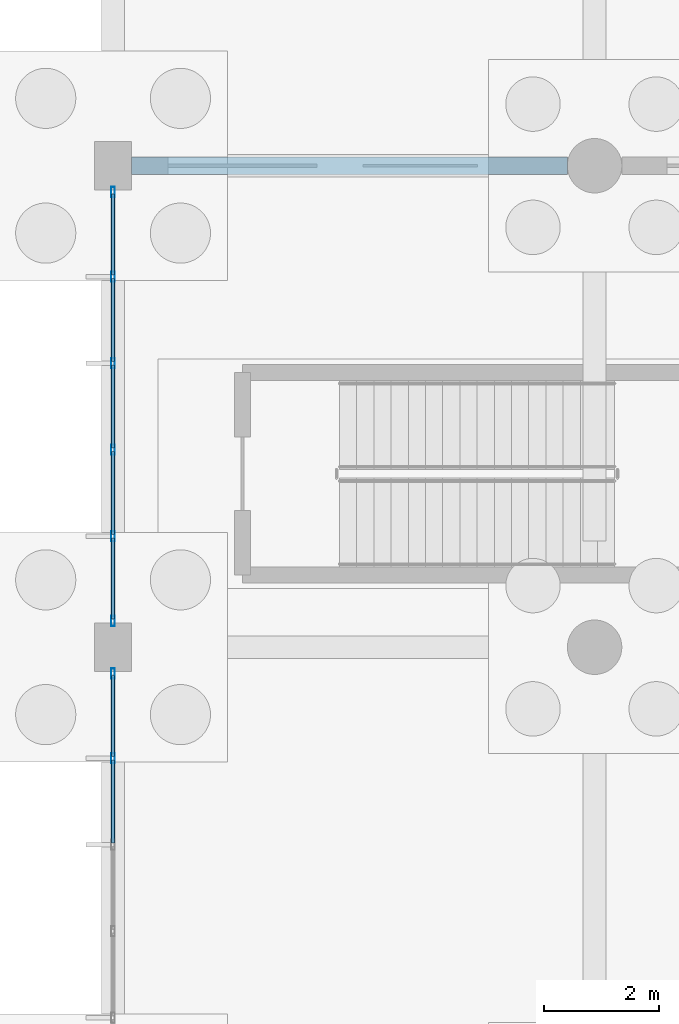
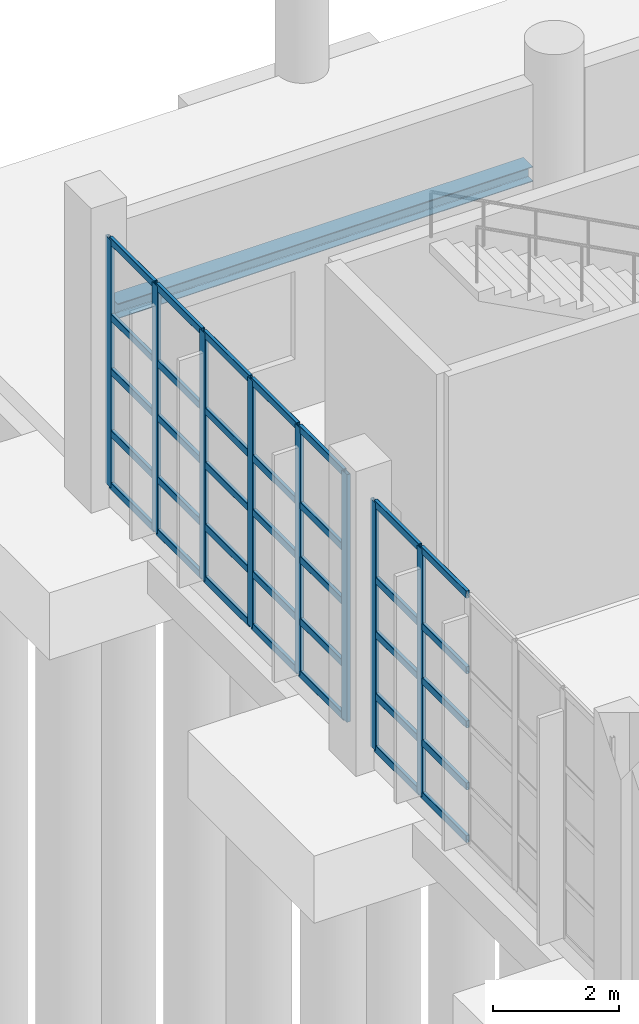
# One storey, part 31 of 83: 43 members, 1 beam, 2 elements without a shape of their own.
"""IFC4 building model written with IfcOpenShell, lengths in metres."""

from ifc_helpers import new_model, si_unit, direction, frame, origin, origin_2d, place, context, subcontext, project, spatial, hollow_rectangle, i_section, extrude, material, layer, layer_set, material_profile, profile_set, type_object, element, aggregate, save


model = new_model("IFC4")

# Units and contexts
model_context = context("Model", 3, precision=1e-05, world=origin(), true_north=direction((0.0, 1.0)))
body_context = subcontext(model_context, "Body", "Model", "MODEL_VIEW")
ifc_project = project(units=[si_unit("LENGTHUNIT", "METRE"), si_unit("AREAUNIT", "SQUARE_METRE"), si_unit("VOLUMEUNIT", "CUBIC_METRE"), si_unit("PLANEANGLEUNIT", "RADIAN"), si_unit("MASSUNIT", "GRAM", prefix="KILO"), si_unit("THERMODYNAMICTEMPERATUREUNIT", "KELVIN"), si_unit("POWERUNIT", "WATT")], contexts=[model_context])

# Site, building, storey
site_placement = place(None, origin())
site = spatial("IfcSite", under=ifc_project, at=site_placement, CompositionType="ELEMENT")
building_placement = place(site_placement, origin())
building = spatial("IfcBuilding", under=site, at=building_placement, Name="Mavoryth Pier Ferry Terminal", CompositionType="ELEMENT")
storey_placement = place(building_placement, origin())
storey = spatial("IfcBuildingStorey", under=building, at=storey_placement, Name="L00", CompositionType="ELEMENT", Elevation=0.0)

# Beam
ifc_material_1 = material(Name="Steel S355J2", Category="steel")
ifc_material_profile_1 = material_profile(ifc_material_1, i_section(OverallWidth=0.300048828125, OverallDepth=0.2900390625, WebThickness=0.008544921875, FlangeThickness=0.013916015625, FilletRadius=0.027099609375, at=origin_2d()), Name="HEA 300", Category="steel")
ifc_profile_set_1 = profile_set([ifc_material_profile_1], Name="Steel S355J2 - HEA 300")
beam_type = type_object("IfcBeamType", Name="Lintel-Steel-HEA300", PredefinedType="LINTEL", material=ifc_profile_set_1)
beam_placement = place(storey_placement, frame((0.324951171875, 106.0, 3.054931640625), z_axis=(1.0, 0.0, 0.0), x_axis=(0.0, 1.0, 0.0)))
element("IfcBeam", 1, at=beam_placement, inside=storey, type_object=beam_type, Name="Beam B00-LN02-1608", PredefinedType="LINTEL", context=body_context, shape_type="SweptSolid", body=[
    extrude(i_section(OverallWidth=0.300048828125, OverallDepth=0.2900390625, WebThickness=0.008544921875, FlangeThickness=0.013916015625, FilletRadius=0.027099609375, at=origin_2d()), origin(), (0.0, 0.0, 1.0), 7.60009765625),
])

# Curtain wall, members
ifc_material_2 = material(Name="Anodised Aluminium and Solar-Control Low-E Glass", Category="aluminium")
ifc_layer = layer(ifc_material_2, 0.179931640625, Name="Anodised Aluminium and Solar-Control Low-E Glass", Category="aluminium")
ifc_layer_set = layer_set([ifc_layer], Name="Anodised Aluminium and Solar-Control Low-E Glass - CW-Concourse-Mod1400")
curtain_wall_type = type_object("IfcCurtainWallType", Name="CW-Concourse-Mod1400", PredefinedType="USERDEFINED", material=ifc_layer_set)
curtain_wall_1_placement = place(storey_placement, origin())
curtain_wall_1 = element("IfcCurtainWall", 2, at=curtain_wall_1_placement, inside=storey, type_object=curtain_wall_type, Name="Curtain Wall CW-0033-025", ObjectType="UNITISED CURTAIN WALL", PredefinedType="USERDEFINED")
ifc_material_3 = material(Name="Anodised Aluminium EN AW-6063", Category="aluminium")
ifc_material_profile_2 = material_profile(ifc_material_3, hollow_rectangle(XDim=0.06494140625, YDim=0.179931640625, WallThickness=0.00390625, InnerFilletRadius=0.00390625, OuterFilletRadius=0.008056640625, at=origin_2d()), Name="AL-MULL 180x65x4", Category="aluminium")
ifc_profile_set_2 = profile_set([ifc_material_profile_2], Name="Anodised Aluminium EN AW-6063 - AL-MULL 180x65x4")
member_type_1 = type_object("IfcMemberType", Name="Mullion-Alum-180x65", PredefinedType="MULLION", material=ifc_profile_set_2)
member_1_placement = place(storey_placement, frame((0.0, 97.142578125, 0.0), z_axis=(0.0, 0.0, 1.0), x_axis=(1.0, 0.0, 0.0)))
member_1 = element("IfcMember", 3, at=member_1_placement, type_object=member_type_1, Name="CW01 mullion 1", PredefinedType="MULLION", context=body_context, shape_type="SweptSolid", body=[
    extrude(hollow_rectangle(XDim=0.06494140625, YDim=0.179931640625, WallThickness=0.00390625, InnerFilletRadius=0.00390625, OuterFilletRadius=0.008056640625, at=origin_2d()), origin(), (0.0, 0.0, 1.0), 4.794921875),
])
member_2_placement = place(storey_placement, frame((0.0, 95.6650390625, 0.0), z_axis=(0.0, 0.0, 1.0), x_axis=(1.0, 0.0, 0.0)))
member_2 = element("IfcMember", 4, at=member_2_placement, type_object=member_type_1, Name="CW01 mullion 2", PredefinedType="MULLION", context=body_context, shape_type="SweptSolid", body=[
    extrude(hollow_rectangle(XDim=0.06494140625, YDim=0.179931640625, WallThickness=0.00390625, InnerFilletRadius=0.00390625, OuterFilletRadius=0.008056640625, at=origin_2d()), origin(), (0.0, 0.0, 1.0), 4.794921875),
])

curtain_wall_2_placement = place(storey_placement, origin())
curtain_wall_2 = element("IfcCurtainWall", 5, at=curtain_wall_2_placement, inside=storey, type_object=curtain_wall_type, Name="Curtain Wall CW-0033-030", ObjectType="UNITISED CURTAIN WALL", PredefinedType="USERDEFINED")
member_3_placement = place(storey_placement, frame((0.0, 105.54248046875, 0.0), z_axis=(0.0, 0.0, 1.0), x_axis=(1.0, 0.0, 0.0)))
member_3 = element("IfcMember", 6, at=member_3_placement, type_object=member_type_1, Name="CW01 mullion 1", PredefinedType="MULLION", context=body_context, shape_type="SweptSolid", body=[
    extrude(hollow_rectangle(XDim=0.06494140625, YDim=0.179931640625, WallThickness=0.00390625, InnerFilletRadius=0.00390625, OuterFilletRadius=0.008056640625, at=origin_2d()), origin(), (0.0, 0.0, 1.0), 4.794921875),
])
member_4_placement = place(storey_placement, frame((0.0, 104.06494140625, 0.0), z_axis=(0.0, 0.0, 1.0), x_axis=(1.0, 0.0, 0.0)))
member_4 = element("IfcMember", 7, at=member_4_placement, type_object=member_type_1, Name="CW01 mullion 2", PredefinedType="MULLION", context=body_context, shape_type="SweptSolid", body=[
    extrude(hollow_rectangle(XDim=0.06494140625, YDim=0.179931640625, WallThickness=0.00390625, InnerFilletRadius=0.00390625, OuterFilletRadius=0.008056640625, at=origin_2d()), origin(), (0.0, 0.0, 1.0), 4.794921875),
])
member_5_placement = place(storey_placement, frame((0.0, 102.554931640625, 0.0), z_axis=(0.0, 0.0, 1.0), x_axis=(1.0, 0.0, 0.0)))
member_5 = element("IfcMember", 8, at=member_5_placement, type_object=member_type_1, Name="CW01 mullion 3", PredefinedType="MULLION", context=body_context, shape_type="SweptSolid", body=[
    extrude(hollow_rectangle(XDim=0.06494140625, YDim=0.179931640625, WallThickness=0.00390625, InnerFilletRadius=0.00390625, OuterFilletRadius=0.008056640625, at=origin_2d()), origin(), (0.0, 0.0, 1.0), 4.794921875),
])
member_6_placement = place(storey_placement, frame((0.0, 101.044921875, 0.0), z_axis=(0.0, 0.0, 1.0), x_axis=(1.0, 0.0, 0.0)))
member_6 = element("IfcMember", 9, at=member_6_placement, type_object=member_type_1, Name="CW01 mullion 4", PredefinedType="MULLION", context=body_context, shape_type="SweptSolid", body=[
    extrude(hollow_rectangle(XDim=0.06494140625, YDim=0.179931640625, WallThickness=0.00390625, InnerFilletRadius=0.00390625, OuterFilletRadius=0.008056640625, at=origin_2d()), origin(), (0.0, 0.0, 1.0), 4.794921875),
])
member_7_placement = place(storey_placement, frame((0.0, 99.534912109375, 0.0), z_axis=(0.0, 0.0, 1.0), x_axis=(1.0, 0.0, 0.0)))
member_7 = element("IfcMember", 10, at=member_7_placement, type_object=member_type_1, Name="CW01 mullion 5", PredefinedType="MULLION", context=body_context, shape_type="SweptSolid", body=[
    extrude(hollow_rectangle(XDim=0.06494140625, YDim=0.179931640625, WallThickness=0.00390625, InnerFilletRadius=0.00390625, OuterFilletRadius=0.008056640625, at=origin_2d()), origin(), (0.0, 0.0, 1.0), 4.794921875),
])
member_8_placement = place(storey_placement, frame((0.0, 98.0576171875, 0.0), z_axis=(0.0, 0.0, 1.0), x_axis=(1.0, 0.0, 0.0)))
member_8 = element("IfcMember", 11, at=member_8_placement, type_object=member_type_1, Name="CW01 mullion 6", PredefinedType="MULLION", context=body_context, shape_type="SweptSolid", body=[
    extrude(hollow_rectangle(XDim=0.06494140625, YDim=0.179931640625, WallThickness=0.00390625, InnerFilletRadius=0.00390625, OuterFilletRadius=0.008056640625, at=origin_2d()), origin(), (0.0, 0.0, 1.0), 4.794921875),
])

# Member
ifc_material_profile_3 = material_profile(ifc_material_3, hollow_rectangle(XDim=0.06494140625, YDim=0.139892578125, WallThickness=0.00390625, InnerFilletRadius=0.00390625, OuterFilletRadius=0.008056640625, at=origin_2d()), Name="AL-TRAN 140x65x4", Category="aluminium")
ifc_profile_set_3 = profile_set([ifc_material_profile_3], Name="Anodised Aluminium EN AW-6063 - AL-TRAN 140x65x4")
member_type_2 = type_object("IfcMemberType", Name="Transom-Alum-140x65", PredefinedType="USERDEFINED", material=ifc_profile_set_3)
member_9_placement = place(storey_placement, frame((0.0, 97.110107421875, 0.032470703125), z_axis=(0.0, -1.0, 0.0), x_axis=(1.0, 0.0, 0.0)))
member_9 = element("IfcMember", 12, at=member_9_placement, type_object=member_type_2, Name="CW01 transom 1.1", ObjectType="TRANSOM", PredefinedType="USERDEFINED", context=body_context, shape_type="SweptSolid", body=[
    extrude(hollow_rectangle(XDim=0.06494140625, YDim=0.139892578125, WallThickness=0.00390625, InnerFilletRadius=0.00390625, OuterFilletRadius=0.008056640625, at=origin_2d()), origin(), (0.0, 0.0, 1.0), 1.41259765625),
])

member_10_placement = place(storey_placement, frame((0.0, 97.110107421875, 1.050048828125), z_axis=(0.0, -1.0, 0.0), x_axis=(1.0, 0.0, 0.0)))
member_10 = element("IfcMember", 13, at=member_10_placement, type_object=member_type_2, Name="CW01 transom 1.2", ObjectType="TRANSOM", PredefinedType="USERDEFINED", context=body_context, shape_type="SweptSolid", body=[
    extrude(hollow_rectangle(XDim=0.06494140625, YDim=0.139892578125, WallThickness=0.00390625, InnerFilletRadius=0.00390625, OuterFilletRadius=0.008056640625, at=origin_2d()), origin(), (0.0, 0.0, 1.0), 1.41259765625),
])

member_11_placement = place(storey_placement, frame((0.0, 97.110107421875, 2.25), z_axis=(0.0, -1.0, 0.0), x_axis=(1.0, 0.0, 0.0)))
member_11 = element("IfcMember", 14, at=member_11_placement, type_object=member_type_2, Name="CW01 transom 1.3", ObjectType="TRANSOM", PredefinedType="USERDEFINED", context=body_context, shape_type="SweptSolid", body=[
    extrude(hollow_rectangle(XDim=0.06494140625, YDim=0.139892578125, WallThickness=0.00390625, InnerFilletRadius=0.00390625, OuterFilletRadius=0.008056640625, at=origin_2d()), origin(), (0.0, 0.0, 1.0), 1.41259765625),
])

member_12_placement = place(storey_placement, frame((0.0, 97.110107421875, 3.300048828125), z_axis=(0.0, -1.0, 0.0), x_axis=(1.0, 0.0, 0.0)))
member_12 = element("IfcMember", 15, at=member_12_placement, type_object=member_type_2, Name="CW01 transom 1.4", ObjectType="TRANSOM", PredefinedType="USERDEFINED", context=body_context, shape_type="SweptSolid", body=[
    extrude(hollow_rectangle(XDim=0.06494140625, YDim=0.139892578125, WallThickness=0.00390625, InnerFilletRadius=0.00390625, OuterFilletRadius=0.008056640625, at=origin_2d()), origin(), (0.0, 0.0, 1.0), 1.41259765625),
])

member_13_placement = place(storey_placement, frame((0.0, 97.110107421875, 4.762451171875), z_axis=(0.0, -1.0, 0.0), x_axis=(1.0, 0.0, 0.0)))
member_13 = element("IfcMember", 16, at=member_13_placement, type_object=member_type_2, Name="CW01 transom 1.5", ObjectType="TRANSOM", PredefinedType="USERDEFINED", context=body_context, shape_type="SweptSolid", body=[
    extrude(hollow_rectangle(XDim=0.06494140625, YDim=0.139892578125, WallThickness=0.00390625, InnerFilletRadius=0.00390625, OuterFilletRadius=0.008056640625, at=origin_2d()), origin(), (0.0, 0.0, 1.0), 1.41259765625),
])

member_14_placement = place(storey_placement, frame((0.0, 95.632568359375, 0.032470703125), z_axis=(0.0, -1.0, 0.0), x_axis=(1.0, 0.0, 0.0)))
member_14 = element("IfcMember", 17, at=member_14_placement, type_object=member_type_2, Name="CW01 transom 2.1", ObjectType="TRANSOM", PredefinedType="USERDEFINED", context=body_context, shape_type="SweptSolid", body=[
    extrude(hollow_rectangle(XDim=0.06494140625, YDim=0.139892578125, WallThickness=0.00390625, InnerFilletRadius=0.00390625, OuterFilletRadius=0.008056640625, at=origin_2d()), origin(), (0.0, 0.0, 1.0), 1.445068359375),
])

member_15_placement = place(storey_placement, frame((0.0, 95.632568359375, 1.050048828125), z_axis=(0.0, -1.0, 0.0), x_axis=(1.0, 0.0, 0.0)))
member_15 = element("IfcMember", 18, at=member_15_placement, type_object=member_type_2, Name="CW01 transom 2.2", ObjectType="TRANSOM", PredefinedType="USERDEFINED", context=body_context, shape_type="SweptSolid", body=[
    extrude(hollow_rectangle(XDim=0.06494140625, YDim=0.139892578125, WallThickness=0.00390625, InnerFilletRadius=0.00390625, OuterFilletRadius=0.008056640625, at=origin_2d()), origin(), (0.0, 0.0, 1.0), 1.445068359375),
])

member_16_placement = place(storey_placement, frame((0.0, 95.632568359375, 2.25), z_axis=(0.0, -1.0, 0.0), x_axis=(1.0, 0.0, 0.0)))
member_16 = element("IfcMember", 19, at=member_16_placement, type_object=member_type_2, Name="CW01 transom 2.3", ObjectType="TRANSOM", PredefinedType="USERDEFINED", context=body_context, shape_type="SweptSolid", body=[
    extrude(hollow_rectangle(XDim=0.06494140625, YDim=0.139892578125, WallThickness=0.00390625, InnerFilletRadius=0.00390625, OuterFilletRadius=0.008056640625, at=origin_2d()), origin(), (0.0, 0.0, 1.0), 1.445068359375),
])

member_17_placement = place(storey_placement, frame((0.0, 95.632568359375, 3.300048828125), z_axis=(0.0, -1.0, 0.0), x_axis=(1.0, 0.0, 0.0)))
member_17 = element("IfcMember", 20, at=member_17_placement, type_object=member_type_2, Name="CW01 transom 2.4", ObjectType="TRANSOM", PredefinedType="USERDEFINED", context=body_context, shape_type="SweptSolid", body=[
    extrude(hollow_rectangle(XDim=0.06494140625, YDim=0.139892578125, WallThickness=0.00390625, InnerFilletRadius=0.00390625, OuterFilletRadius=0.008056640625, at=origin_2d()), origin(), (0.0, 0.0, 1.0), 1.445068359375),
])

member_18_placement = place(storey_placement, frame((0.0, 95.632568359375, 4.762451171875), z_axis=(0.0, -1.0, 0.0), x_axis=(1.0, 0.0, 0.0)))
member_18 = element("IfcMember", 21, at=member_18_placement, type_object=member_type_2, Name="CW01 transom 2.5", ObjectType="TRANSOM", PredefinedType="USERDEFINED", context=body_context, shape_type="SweptSolid", body=[
    extrude(hollow_rectangle(XDim=0.06494140625, YDim=0.139892578125, WallThickness=0.00390625, InnerFilletRadius=0.00390625, OuterFilletRadius=0.008056640625, at=origin_2d()), origin(), (0.0, 0.0, 1.0), 1.445068359375),
])

aggregate(curtain_wall_1, [member_1, member_2, member_9, member_10, member_11, member_12, member_13, member_14, member_15, member_16, member_17, member_18])

member_19_placement = place(storey_placement, frame((0.0, 105.510009765625, 0.032470703125), z_axis=(0.0, -1.0, 0.0), x_axis=(1.0, 0.0, 0.0)))
member_19 = element("IfcMember", 22, at=member_19_placement, type_object=member_type_2, Name="CW01 transom 1.1", ObjectType="TRANSOM", PredefinedType="USERDEFINED", context=body_context, shape_type="SweptSolid", body=[
    extrude(hollow_rectangle(XDim=0.06494140625, YDim=0.139892578125, WallThickness=0.00390625, InnerFilletRadius=0.00390625, OuterFilletRadius=0.008056640625, at=origin_2d()), origin(), (0.0, 0.0, 1.0), 1.41259765625),
])

member_20_placement = place(storey_placement, frame((0.0, 105.510009765625, 1.050048828125), z_axis=(0.0, -1.0, 0.0), x_axis=(1.0, 0.0, 0.0)))
member_20 = element("IfcMember", 23, at=member_20_placement, type_object=member_type_2, Name="CW01 transom 1.2", ObjectType="TRANSOM", PredefinedType="USERDEFINED", context=body_context, shape_type="SweptSolid", body=[
    extrude(hollow_rectangle(XDim=0.06494140625, YDim=0.139892578125, WallThickness=0.00390625, InnerFilletRadius=0.00390625, OuterFilletRadius=0.008056640625, at=origin_2d()), origin(), (0.0, 0.0, 1.0), 1.41259765625),
])

member_21_placement = place(storey_placement, frame((0.0, 105.510009765625, 2.25), z_axis=(0.0, -1.0, 0.0), x_axis=(1.0, 0.0, 0.0)))
member_21 = element("IfcMember", 24, at=member_21_placement, type_object=member_type_2, Name="CW01 transom 1.3", ObjectType="TRANSOM", PredefinedType="USERDEFINED", context=body_context, shape_type="SweptSolid", body=[
    extrude(hollow_rectangle(XDim=0.06494140625, YDim=0.139892578125, WallThickness=0.00390625, InnerFilletRadius=0.00390625, OuterFilletRadius=0.008056640625, at=origin_2d()), origin(), (0.0, 0.0, 1.0), 1.41259765625),
])

member_22_placement = place(storey_placement, frame((0.0, 105.510009765625, 3.300048828125), z_axis=(0.0, -1.0, 0.0), x_axis=(1.0, 0.0, 0.0)))
member_22 = element("IfcMember", 25, at=member_22_placement, type_object=member_type_2, Name="CW01 transom 1.4", ObjectType="TRANSOM", PredefinedType="USERDEFINED", context=body_context, shape_type="SweptSolid", body=[
    extrude(hollow_rectangle(XDim=0.06494140625, YDim=0.139892578125, WallThickness=0.00390625, InnerFilletRadius=0.00390625, OuterFilletRadius=0.008056640625, at=origin_2d()), origin(), (0.0, 0.0, 1.0), 1.41259765625),
])

member_23_placement = place(storey_placement, frame((0.0, 105.510009765625, 4.762451171875), z_axis=(0.0, -1.0, 0.0), x_axis=(1.0, 0.0, 0.0)))
member_23 = element("IfcMember", 26, at=member_23_placement, type_object=member_type_2, Name="CW01 transom 1.5", ObjectType="TRANSOM", PredefinedType="USERDEFINED", context=body_context, shape_type="SweptSolid", body=[
    extrude(hollow_rectangle(XDim=0.06494140625, YDim=0.139892578125, WallThickness=0.00390625, InnerFilletRadius=0.00390625, OuterFilletRadius=0.008056640625, at=origin_2d()), origin(), (0.0, 0.0, 1.0), 1.41259765625),
])

member_24_placement = place(storey_placement, frame((0.0, 104.032470703125, 0.032470703125), z_axis=(0.0, -1.0, 0.0), x_axis=(1.0, 0.0, 0.0)))
member_24 = element("IfcMember", 27, at=member_24_placement, type_object=member_type_2, Name="CW01 transom 2.1", ObjectType="TRANSOM", PredefinedType="USERDEFINED", context=body_context, shape_type="SweptSolid", body=[
    extrude(hollow_rectangle(XDim=0.06494140625, YDim=0.139892578125, WallThickness=0.00390625, InnerFilletRadius=0.00390625, OuterFilletRadius=0.008056640625, at=origin_2d()), origin(), (0.0, 0.0, 1.0), 1.445068359375),
])

member_25_placement = place(storey_placement, frame((0.0, 104.032470703125, 1.050048828125), z_axis=(0.0, -1.0, 0.0), x_axis=(1.0, 0.0, 0.0)))
member_25 = element("IfcMember", 28, at=member_25_placement, type_object=member_type_2, Name="CW01 transom 2.2", ObjectType="TRANSOM", PredefinedType="USERDEFINED", context=body_context, shape_type="SweptSolid", body=[
    extrude(hollow_rectangle(XDim=0.06494140625, YDim=0.139892578125, WallThickness=0.00390625, InnerFilletRadius=0.00390625, OuterFilletRadius=0.008056640625, at=origin_2d()), origin(), (0.0, 0.0, 1.0), 1.445068359375),
])

member_26_placement = place(storey_placement, frame((0.0, 104.032470703125, 2.25), z_axis=(0.0, -1.0, 0.0), x_axis=(1.0, 0.0, 0.0)))
member_26 = element("IfcMember", 29, at=member_26_placement, type_object=member_type_2, Name="CW01 transom 2.3", ObjectType="TRANSOM", PredefinedType="USERDEFINED", context=body_context, shape_type="SweptSolid", body=[
    extrude(hollow_rectangle(XDim=0.06494140625, YDim=0.139892578125, WallThickness=0.00390625, InnerFilletRadius=0.00390625, OuterFilletRadius=0.008056640625, at=origin_2d()), origin(), (0.0, 0.0, 1.0), 1.445068359375),
])

member_27_placement = place(storey_placement, frame((0.0, 104.032470703125, 3.300048828125), z_axis=(0.0, -1.0, 0.0), x_axis=(1.0, 0.0, 0.0)))
member_27 = element("IfcMember", 30, at=member_27_placement, type_object=member_type_2, Name="CW01 transom 2.4", ObjectType="TRANSOM", PredefinedType="USERDEFINED", context=body_context, shape_type="SweptSolid", body=[
    extrude(hollow_rectangle(XDim=0.06494140625, YDim=0.139892578125, WallThickness=0.00390625, InnerFilletRadius=0.00390625, OuterFilletRadius=0.008056640625, at=origin_2d()), origin(), (0.0, 0.0, 1.0), 1.445068359375),
])

member_28_placement = place(storey_placement, frame((0.0, 104.032470703125, 4.762451171875), z_axis=(0.0, -1.0, 0.0), x_axis=(1.0, 0.0, 0.0)))
member_28 = element("IfcMember", 31, at=member_28_placement, type_object=member_type_2, Name="CW01 transom 2.5", ObjectType="TRANSOM", PredefinedType="USERDEFINED", context=body_context, shape_type="SweptSolid", body=[
    extrude(hollow_rectangle(XDim=0.06494140625, YDim=0.139892578125, WallThickness=0.00390625, InnerFilletRadius=0.00390625, OuterFilletRadius=0.008056640625, at=origin_2d()), origin(), (0.0, 0.0, 1.0), 1.445068359375),
])

member_29_placement = place(storey_placement, frame((0.0, 102.5224609375, 0.032470703125), z_axis=(0.0, -1.0, 0.0), x_axis=(1.0, 0.0, 0.0)))
member_29 = element("IfcMember", 32, at=member_29_placement, type_object=member_type_2, Name="CW01 transom 3.1", ObjectType="TRANSOM", PredefinedType="USERDEFINED", context=body_context, shape_type="SweptSolid", body=[
    extrude(hollow_rectangle(XDim=0.06494140625, YDim=0.139892578125, WallThickness=0.00390625, InnerFilletRadius=0.00390625, OuterFilletRadius=0.008056640625, at=origin_2d()), origin(), (0.0, 0.0, 1.0), 1.445068359375),
])

member_30_placement = place(storey_placement, frame((0.0, 102.5224609375, 1.050048828125), z_axis=(0.0, -1.0, 0.0), x_axis=(1.0, 0.0, 0.0)))
member_30 = element("IfcMember", 33, at=member_30_placement, type_object=member_type_2, Name="CW01 transom 3.2", ObjectType="TRANSOM", PredefinedType="USERDEFINED", context=body_context, shape_type="SweptSolid", body=[
    extrude(hollow_rectangle(XDim=0.06494140625, YDim=0.139892578125, WallThickness=0.00390625, InnerFilletRadius=0.00390625, OuterFilletRadius=0.008056640625, at=origin_2d()), origin(), (0.0, 0.0, 1.0), 1.445068359375),
])

member_31_placement = place(storey_placement, frame((0.0, 102.5224609375, 2.25), z_axis=(0.0, -1.0, 0.0), x_axis=(1.0, 0.0, 0.0)))
member_31 = element("IfcMember", 34, at=member_31_placement, type_object=member_type_2, Name="CW01 transom 3.3", ObjectType="TRANSOM", PredefinedType="USERDEFINED", context=body_context, shape_type="SweptSolid", body=[
    extrude(hollow_rectangle(XDim=0.06494140625, YDim=0.139892578125, WallThickness=0.00390625, InnerFilletRadius=0.00390625, OuterFilletRadius=0.008056640625, at=origin_2d()), origin(), (0.0, 0.0, 1.0), 1.445068359375),
])

member_32_placement = place(storey_placement, frame((0.0, 102.5224609375, 3.300048828125), z_axis=(0.0, -1.0, 0.0), x_axis=(1.0, 0.0, 0.0)))
member_32 = element("IfcMember", 35, at=member_32_placement, type_object=member_type_2, Name="CW01 transom 3.4", ObjectType="TRANSOM", PredefinedType="USERDEFINED", context=body_context, shape_type="SweptSolid", body=[
    extrude(hollow_rectangle(XDim=0.06494140625, YDim=0.139892578125, WallThickness=0.00390625, InnerFilletRadius=0.00390625, OuterFilletRadius=0.008056640625, at=origin_2d()), origin(), (0.0, 0.0, 1.0), 1.445068359375),
])

member_33_placement = place(storey_placement, frame((0.0, 102.5224609375, 4.762451171875), z_axis=(0.0, -1.0, 0.0), x_axis=(1.0, 0.0, 0.0)))
member_33 = element("IfcMember", 36, at=member_33_placement, type_object=member_type_2, Name="CW01 transom 3.5", ObjectType="TRANSOM", PredefinedType="USERDEFINED", context=body_context, shape_type="SweptSolid", body=[
    extrude(hollow_rectangle(XDim=0.06494140625, YDim=0.139892578125, WallThickness=0.00390625, InnerFilletRadius=0.00390625, OuterFilletRadius=0.008056640625, at=origin_2d()), origin(), (0.0, 0.0, 1.0), 1.445068359375),
])

member_34_placement = place(storey_placement, frame((0.0, 101.012451171875, 0.032470703125), z_axis=(0.0, -1.0, 0.0), x_axis=(1.0, 0.0, 0.0)))
member_34 = element("IfcMember", 37, at=member_34_placement, type_object=member_type_2, Name="CW01 transom 4.1", ObjectType="TRANSOM", PredefinedType="USERDEFINED", context=body_context, shape_type="SweptSolid", body=[
    extrude(hollow_rectangle(XDim=0.06494140625, YDim=0.139892578125, WallThickness=0.00390625, InnerFilletRadius=0.00390625, OuterFilletRadius=0.008056640625, at=origin_2d()), origin(), (0.0, 0.0, 1.0), 1.445068359375),
])

member_35_placement = place(storey_placement, frame((0.0, 101.012451171875, 1.050048828125), z_axis=(0.0, -1.0, 0.0), x_axis=(1.0, 0.0, 0.0)))
member_35 = element("IfcMember", 38, at=member_35_placement, type_object=member_type_2, Name="CW01 transom 4.2", ObjectType="TRANSOM", PredefinedType="USERDEFINED", context=body_context, shape_type="SweptSolid", body=[
    extrude(hollow_rectangle(XDim=0.06494140625, YDim=0.139892578125, WallThickness=0.00390625, InnerFilletRadius=0.00390625, OuterFilletRadius=0.008056640625, at=origin_2d()), origin(), (0.0, 0.0, 1.0), 1.445068359375),
])

member_36_placement = place(storey_placement, frame((0.0, 101.012451171875, 2.25), z_axis=(0.0, -1.0, 0.0), x_axis=(1.0, 0.0, 0.0)))
member_36 = element("IfcMember", 39, at=member_36_placement, type_object=member_type_2, Name="CW01 transom 4.3", ObjectType="TRANSOM", PredefinedType="USERDEFINED", context=body_context, shape_type="SweptSolid", body=[
    extrude(hollow_rectangle(XDim=0.06494140625, YDim=0.139892578125, WallThickness=0.00390625, InnerFilletRadius=0.00390625, OuterFilletRadius=0.008056640625, at=origin_2d()), origin(), (0.0, 0.0, 1.0), 1.445068359375),
])

member_37_placement = place(storey_placement, frame((0.0, 101.012451171875, 3.300048828125), z_axis=(0.0, -1.0, 0.0), x_axis=(1.0, 0.0, 0.0)))
member_37 = element("IfcMember", 40, at=member_37_placement, type_object=member_type_2, Name="CW01 transom 4.4", ObjectType="TRANSOM", PredefinedType="USERDEFINED", context=body_context, shape_type="SweptSolid", body=[
    extrude(hollow_rectangle(XDim=0.06494140625, YDim=0.139892578125, WallThickness=0.00390625, InnerFilletRadius=0.00390625, OuterFilletRadius=0.008056640625, at=origin_2d()), origin(), (0.0, 0.0, 1.0), 1.445068359375),
])

member_38_placement = place(storey_placement, frame((0.0, 101.012451171875, 4.762451171875), z_axis=(0.0, -1.0, 0.0), x_axis=(1.0, 0.0, 0.0)))
member_38 = element("IfcMember", 41, at=member_38_placement, type_object=member_type_2, Name="CW01 transom 4.5", ObjectType="TRANSOM", PredefinedType="USERDEFINED", context=body_context, shape_type="SweptSolid", body=[
    extrude(hollow_rectangle(XDim=0.06494140625, YDim=0.139892578125, WallThickness=0.00390625, InnerFilletRadius=0.00390625, OuterFilletRadius=0.008056640625, at=origin_2d()), origin(), (0.0, 0.0, 1.0), 1.445068359375),
])

member_39_placement = place(storey_placement, frame((0.0, 99.50244140625, 0.032470703125), z_axis=(0.0, -1.0, 0.0), x_axis=(1.0, 0.0, 0.0)))
member_39 = element("IfcMember", 42, at=member_39_placement, type_object=member_type_2, Name="CW01 transom 5.1", ObjectType="TRANSOM", PredefinedType="USERDEFINED", context=body_context, shape_type="SweptSolid", body=[
    extrude(hollow_rectangle(XDim=0.06494140625, YDim=0.139892578125, WallThickness=0.00390625, InnerFilletRadius=0.00390625, OuterFilletRadius=0.008056640625, at=origin_2d()), origin(), (0.0, 0.0, 1.0), 1.412353515625),
])

member_40_placement = place(storey_placement, frame((0.0, 99.50244140625, 1.050048828125), z_axis=(0.0, -1.0, 0.0), x_axis=(1.0, 0.0, 0.0)))
member_40 = element("IfcMember", 43, at=member_40_placement, type_object=member_type_2, Name="CW01 transom 5.2", ObjectType="TRANSOM", PredefinedType="USERDEFINED", context=body_context, shape_type="SweptSolid", body=[
    extrude(hollow_rectangle(XDim=0.06494140625, YDim=0.139892578125, WallThickness=0.00390625, InnerFilletRadius=0.00390625, OuterFilletRadius=0.008056640625, at=origin_2d()), origin(), (0.0, 0.0, 1.0), 1.412353515625),
])

member_41_placement = place(storey_placement, frame((0.0, 99.50244140625, 2.25), z_axis=(0.0, -1.0, 0.0), x_axis=(1.0, 0.0, 0.0)))
member_41 = element("IfcMember", 44, at=member_41_placement, type_object=member_type_2, Name="CW01 transom 5.3", ObjectType="TRANSOM", PredefinedType="USERDEFINED", context=body_context, shape_type="SweptSolid", body=[
    extrude(hollow_rectangle(XDim=0.06494140625, YDim=0.139892578125, WallThickness=0.00390625, InnerFilletRadius=0.00390625, OuterFilletRadius=0.008056640625, at=origin_2d()), origin(), (0.0, 0.0, 1.0), 1.412353515625),
])

member_42_placement = place(storey_placement, frame((0.0, 99.50244140625, 3.300048828125), z_axis=(0.0, -1.0, 0.0), x_axis=(1.0, 0.0, 0.0)))
member_42 = element("IfcMember", 45, at=member_42_placement, type_object=member_type_2, Name="CW01 transom 5.4", ObjectType="TRANSOM", PredefinedType="USERDEFINED", context=body_context, shape_type="SweptSolid", body=[
    extrude(hollow_rectangle(XDim=0.06494140625, YDim=0.139892578125, WallThickness=0.00390625, InnerFilletRadius=0.00390625, OuterFilletRadius=0.008056640625, at=origin_2d()), origin(), (0.0, 0.0, 1.0), 1.412353515625),
])

member_43_placement = place(storey_placement, frame((0.0, 99.50244140625, 4.762451171875), z_axis=(0.0, -1.0, 0.0), x_axis=(1.0, 0.0, 0.0)))
member_43 = element("IfcMember", 46, at=member_43_placement, type_object=member_type_2, Name="CW01 transom 5.5", ObjectType="TRANSOM", PredefinedType="USERDEFINED", context=body_context, shape_type="SweptSolid", body=[
    extrude(hollow_rectangle(XDim=0.06494140625, YDim=0.139892578125, WallThickness=0.00390625, InnerFilletRadius=0.00390625, OuterFilletRadius=0.008056640625, at=origin_2d()), origin(), (0.0, 0.0, 1.0), 1.412353515625),
])

aggregate(curtain_wall_2, [member_3, member_4, member_5, member_6, member_7, member_8, member_19, member_20, member_21, member_22, member_23, member_24, member_25, member_26, member_27, member_28, member_29, member_30, member_31, member_32, member_33, member_34, member_35, member_36, member_37, member_38, member_39, member_40, member_41, member_42, member_43])

save(model, "model.ifc")
